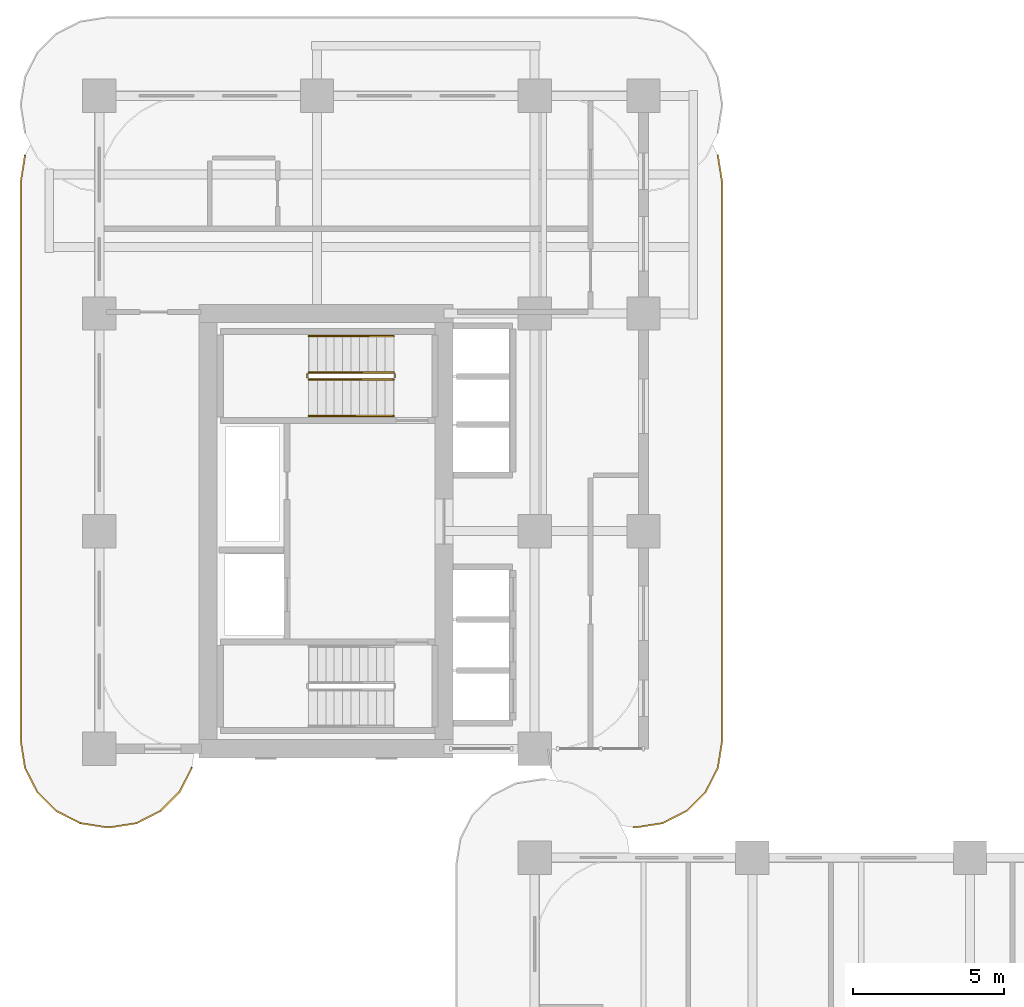
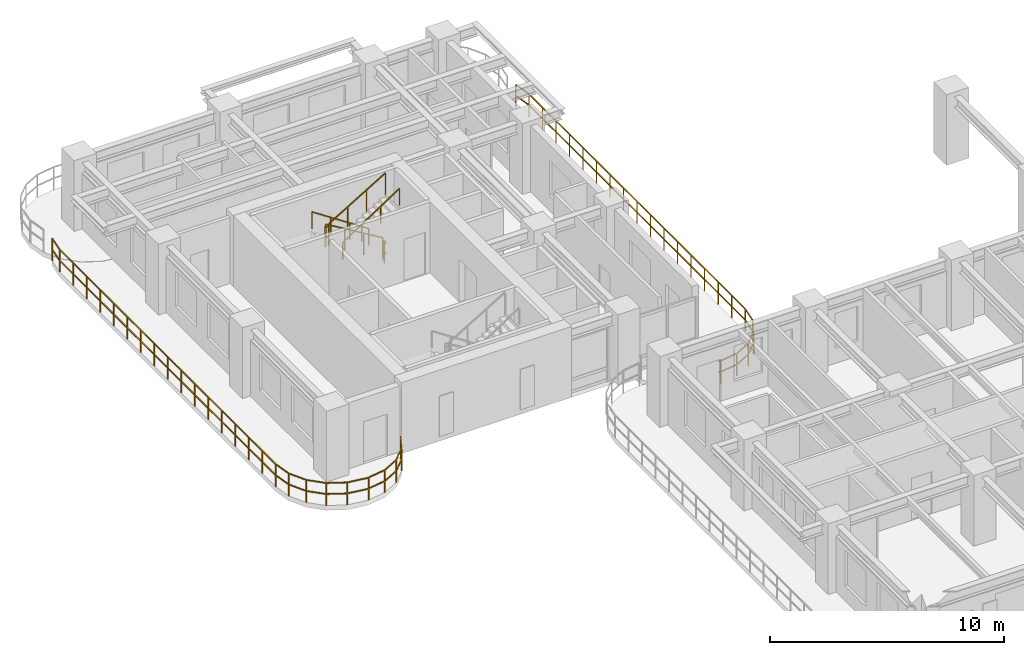
# One storey, part 18 of 19: 8 railings.
"""IFC4 building model written with IfcOpenShell, lengths in metres."""

import ifcopenshell
import ifcopenshell.guid

model = None  # the IFC model being written
_history = None  # IfcOwnerHistory: only IFC2X3 demands one
_inside = {}  # id of a spatial element -> (the spatial element, [elements in it])
_under = {}  # id of a project, library or spatial element -> (it, [spatial elements below it])
_declared = {}  # id of a project -> (the project, [libraries it declares])
_typed = {}  # id of a type object -> (the type object, [elements of that type])
_made_of = {}  # id of a material, layer set ... -> (it, [elements and type objects made of it])


def new_model(schema):
    """Start an empty IFC model of exactly this schema.

    Asked for "IFC4X3", IfcOpenShell would pick the latest addendum, in which some entities
    have other attributes; the version numbers below select the first issue.
    IFC2X3 requires an IfcOwnerHistory on every rooted entity: one is made here for all.
    """
    global model, _history
    if schema == "IFC4X3":
        model = ifcopenshell.file(schema_version=(4, 3, 0, 0))
    else:
        model = ifcopenshell.file(schema=schema)
    _inside.clear()
    _under.clear()
    _declared.clear()
    _typed.clear()
    _made_of.clear()
    _history = None
    if model.schema == "IFC2X3":
        org = make("IfcOrganization", Name="unknown")
        user = make(
            "IfcPersonAndOrganization",
            ThePerson=make("IfcPerson", FamilyName="unknown"),
            TheOrganization=org,
        )
        app = make(
            "IfcApplication",
            ApplicationDeveloper=org,
            Version="unknown",
            ApplicationFullName="unknown",
            ApplicationIdentifier="unknown",
        )
        _history = make(
            "IfcOwnerHistory",
            OwningUser=user,
            OwningApplication=app,
            ChangeAction="ADDED",
            CreationDate=0,
        )
    return model


def make(cls, **values):
    """One entity of the class cls with the attributes given. An attribute that is None is left unset."""
    return model.create_entity(
        cls, **{name: value for name, value in values.items() if value is not None}
    )


def rooted(cls, **values):
    """An entity with a GlobalId (a new one), such as an element, a storey or a relation."""
    return make(cls, GlobalId=ifcopenshell.guid.new(), OwnerHistory=_history, **values)


def si_unit(unit_type, name, prefix=None):
    """IfcSIUnit, for example si_unit("LENGTHUNIT", "METRE", prefix="MILLI")."""
    return make("IfcSIUnit", UnitType=unit_type, Prefix=prefix, Name=name)


def derived_unit(unit_type, elements):
    """IfcDerivedUnit: a product of units, each with its exponent."""
    return make(
        "IfcDerivedUnit",
        Elements=[
            make("IfcDerivedUnitElement", Unit=unit, Exponent=power)
            for unit, power in elements
        ],
        UnitType=unit_type,
    )


def assignment(units):
    """IfcUnitAssignment: the units of a project."""
    return None if units is None else make("IfcUnitAssignment", Units=units)


def point(xyz):
    """IfcCartesianPoint."""
    return None if xyz is None else make("IfcCartesianPoint", Coordinates=xyz)


def direction(xyz):
    """IfcDirection."""
    return None if xyz is None else make("IfcDirection", DirectionRatios=xyz)


def frame(location, z_axis=None, x_axis=None):
    """IfcAxis2Placement3D, a coordinate frame: its origin and axes. An axis left out is left unset."""
    return make(
        "IfcAxis2Placement3D",
        Location=point(location),
        Axis=direction(z_axis),
        RefDirection=direction(x_axis),
    )


def frame_2d(location, x_axis=None):
    """IfcAxis2Placement2D, a coordinate frame in the plane: its origin and x axis."""
    return make(
        "IfcAxis2Placement2D", Location=point(location), RefDirection=direction(x_axis)
    )


def origin():
    """The frame at (0, 0, 0) with its axes left unset."""
    return frame((0.0, 0.0, 0.0))


def origin_2d():
    """The frame at (0, 0) in the plane with its x axis left unset."""
    return frame_2d((0.0, 0.0))


def place(relative_to, where):
    """IfcLocalPlacement: puts the frame where relative to a parent placement (None: the world)."""
    return make(
        "IfcLocalPlacement", PlacementRelTo=relative_to, RelativePlacement=where
    )


def context(
    kind, dimensions, precision=None, world=None, true_north=None, identifier=None
):
    """IfcGeometricRepresentationContext, for example the 3D "Model" context."""
    return make(
        "IfcGeometricRepresentationContext",
        ContextIdentifier=identifier,
        ContextType=kind,
        CoordinateSpaceDimension=dimensions,
        Precision=precision,
        WorldCoordinateSystem=world,
        TrueNorth=true_north,
    )


def subcontext(parent, identifier, kind, view, scale=None):
    """IfcGeometricRepresentationSubContext, for example "Body" below "Model"."""
    return make(
        "IfcGeometricRepresentationSubContext",
        ContextIdentifier=identifier,
        ContextType=kind,
        ParentContext=parent,
        TargetScale=scale,
        TargetView=view,
    )


def project(units=None, contexts=None):
    """IfcProject with its units and contexts."""
    return rooted(
        "IfcProject",
        Name="project",
        RepresentationContexts=contexts,
        UnitsInContext=assignment(units),
    )


def spatial(cls, under=None, at=None, **own):
    """A site, building, storey or space (cls), placed at a placement, below another one or the project."""
    s = rooted(cls, ObjectPlacement=at, **own)
    if under is not None:
        _under.setdefault(under.id(), (under, []))[1].append(s)
    return s


def profile(cls, at=None, kind="AREA", **sizes):
    """A parametric profile (cls). Its sizes go by their IFC names, for example OverallWidth=200.0."""
    return make(cls, ProfileType=kind, Position=at, **sizes)


def rectangle(**sizes):
    """IfcRectangleProfileDef."""
    return profile("IfcRectangleProfileDef", **sizes)


def extrude(swept, where, along, depth):
    """IfcExtrudedAreaSolid: the profile swept, set in the frame where, extruded along a direction by depth."""
    return make(
        "IfcExtrudedAreaSolid",
        SweptArea=swept,
        Position=where,
        ExtrudedDirection=direction(along),
        Depth=depth,
    )


def shape(context_of_items, identifier, shape_type, items):
    """IfcShapeRepresentation: the items that make up one representation, for example the "Body"."""
    return make(
        "IfcShapeRepresentation",
        ContextOfItems=context_of_items,
        RepresentationIdentifier=identifier,
        RepresentationType=shape_type,
        Items=items,
    )


def material(Name=None, Category=None):
    """IfcMaterial."""
    return make("IfcMaterial", Name=Name, Category=Category)


def made_of(thing, what):
    """Note that an element or type object is made of a material, layer set ...; save() writes the relation."""
    if what is not None:
        _made_of.setdefault(what.id(), (what, []))[1].append(thing)
    return thing


def type_object(cls, material=None, **own):
    """A type object (cls), such as IfcWallType, which elements share."""
    return made_of(rooted(cls, **own), material)


def element(
    cls,
    number,
    at=None,
    inside=None,
    cuts=None,
    type_object=None,
    material=None,
    context=None,
    identifier="Body",
    shape_type=None,
    held_by="IfcProductDefinitionShape",
    body=None,
    shapes=None,
    **own,
):
    """One element of the class cls, such as IfcWall. Its Tag is "e" and its number.

    at: its placement. inside: the storey or other place that contains it. cuts: it is an
    opening in that element (IfcRelVoidsElement). A single representation is given by context,
    identifier, shape_type and body (its items); several are given by shapes. held_by: the class
    of the entity that holds the representations. save() writes the other relations.
    """
    e = rooted(cls, Tag="e%d" % number, ObjectPlacement=at, **own)
    if body is not None:
        shapes = [shape(context, identifier, shape_type, body)]
    if shapes is not None:
        e.Representation = make(held_by, Representations=shapes)
    if inside is not None:
        _inside.setdefault(inside.id(), (inside, []))[1].append(e)
    if cuts is not None:
        rooted(
            "IfcRelVoidsElement", RelatingBuildingElement=cuts, RelatedOpeningElement=e
        )
    if type_object is not None:
        _typed.setdefault(type_object.id(), (type_object, []))[1].append(e)
    return made_of(e, material)


def aggregate(whole, parts):
    """IfcRelAggregates: a whole, such as a stair, and the parts it consists of."""
    return rooted("IfcRelAggregates", RelatingObject=whole, RelatedObjects=parts)


def save(model, path):
    """Write the relations noted so far, then the file.

    IfcRelAggregates (storeys below a building ...), IfcRelContainedInSpatialStructure (elements
    in a storey), IfcRelDefinesByType, IfcRelAssociatesMaterial and IfcRelDeclares: one each for
    every whole, place, type object, material and project.
    """
    for whole, parts in _under.values():
        aggregate(whole, parts)
    for where, things in _inside.values():
        rooted(
            "IfcRelContainedInSpatialStructure",
            RelatedElements=things,
            RelatingStructure=where,
        )
    for kind, things in _typed.values():
        rooted("IfcRelDefinesByType", RelatedObjects=things, RelatingType=kind)
    for what, things in _made_of.values():
        rooted("IfcRelAssociatesMaterial", RelatedObjects=things, RelatingMaterial=what)
    for by, libraries in _declared.values():
        rooted("IfcRelDeclares", RelatingContext=by, RelatedDefinitions=libraries)
    model.write(path)


model = new_model("IFC4")

# Units and contexts
model_context = context("Model", 3, precision=1e-05, world=origin(), true_north=direction((0.0, 1.0)))
body_context = subcontext(model_context, "Body", "Model", "MODEL_VIEW")
ifc_project = project(units=[si_unit("LENGTHUNIT", "METRE"), si_unit("AREAUNIT", "SQUARE_METRE"), si_unit("VOLUMEUNIT", "CUBIC_METRE"), si_unit("PLANEANGLEUNIT", "RADIAN"), si_unit("MASSUNIT", "GRAM", prefix="KILO"), si_unit("THERMODYNAMICTEMPERATUREUNIT", "KELVIN"), si_unit("POWERUNIT", "WATT"), derived_unit("THERMALTRANSMITTANCEUNIT", [(si_unit("POWERUNIT", "WATT"), 1), (si_unit("AREAUNIT", "SQUARE_METRE"), -1), (si_unit("THERMODYNAMICTEMPERATUREUNIT", "KELVIN"), -1)])], contexts=[model_context])

# Site, building, storey
site_placement = place(None, origin())
site = spatial("IfcSite", under=ifc_project, at=site_placement, CompositionType="ELEMENT")
building_placement = place(site_placement, origin())
building = spatial("IfcBuilding", under=site, at=building_placement, Name="Zahravan Archway Hotel and Residences", CompositionType="ELEMENT")
storey_placement = place(building_placement, frame((0.0, 0.0, 47.199951171875)))
storey = spatial("IfcBuildingStorey", under=building, at=storey_placement, Name="L10", CompositionType="ELEMENT", Elevation=47.199951171875)

# Railings
ifc_material_1 = material(Name="Bronze & Laminated Glass Balustrade", Category="glass")
railing_type_1 = type_object("IfcRailingType", Name="RL-BAL-1200", PredefinedType="BALUSTRADE", material=ifc_material_1)
railing_1_placement = place(storey_placement, frame((3.060546875, 24.5693359375, 0.0)))
element("IfcRailing", 1, at=railing_1_placement, inside=storey, type_object=railing_type_1, Name="L10 Balustrade RL-SLB-BAL-L10-WB-1", PredefinedType="BALUSTRADE", context=body_context, shape_type="SweptSolid", body=[
    extrude(rectangle(XDim=0.048095703125, YDim=0.048095703125, at=origin_2d()), frame((0.0, 0.0, 1.17578125), z_axis=(-0.453991409995, -0.891006060389, 0.0), x_axis=(0.891006060389, -0.453991409995, 0.0)), (0.0, 0.0, 1.0), 0.8916015625),
    extrude(rectangle(XDim=0.048095703125, YDim=0.048095703125, at=origin_2d()), frame((0.0, 0.0, 0.60009765625), z_axis=(-0.453991409995, -0.891006060389, 0.0), x_axis=(0.891006060389, -0.453991409995, 0.0)), (0.0, 0.0, 1.0), 0.8916015625),
    extrude(rectangle(XDim=0.048095703125, YDim=0.048095703125, at=origin_2d()), frame((-0.40478515625, -0.79443359375, 1.17578125), z_axis=(-0.707106781187, -0.707106781187, 0.0), x_axis=(0.707106781187, -0.707106781187, 0.0)), (0.0, 0.0, 1.0), 0.891845703125),
    extrude(rectangle(XDim=0.048095703125, YDim=0.048095703125, at=origin_2d()), frame((-0.40478515625, -0.79443359375, 0.60009765625), z_axis=(-0.707106781187, -0.707106781187, 0.0), x_axis=(0.707106781187, -0.707106781187, 0.0)), (0.0, 0.0, 1.0), 0.891845703125),
    extrude(rectangle(XDim=0.048095703125, YDim=0.048095703125, at=origin_2d()), frame((-1.035400390625, -1.425048828125, 1.17578125), z_axis=(-0.891006060389, -0.453991409995, 0.0), x_axis=(0.453991409995, -0.891006060389, 0.0)), (0.0, 0.0, 1.0), 0.8916015625),
    extrude(rectangle(XDim=0.048095703125, YDim=0.048095703125, at=origin_2d()), frame((-1.035400390625, -1.425048828125, 0.60009765625), z_axis=(-0.891006060389, -0.453991409995, 0.0), x_axis=(0.453991409995, -0.891006060389, 0.0)), (0.0, 0.0, 1.0), 0.8916015625),
    extrude(rectangle(XDim=0.048095703125, YDim=0.048095703125, at=origin_2d()), frame((-1.829833984375, -1.829833984375, 1.17578125), z_axis=(-0.987700720307, -0.156356282588, 0.0), x_axis=(0.156356282588, -0.987700720307, 0.0)), (0.0, 0.0, 1.0), 0.8916015625),
    extrude(rectangle(XDim=0.048095703125, YDim=0.048095703125, at=origin_2d()), frame((-1.829833984375, -1.829833984375, 0.60009765625), z_axis=(-0.987700720307, -0.156356282588, 0.0), x_axis=(0.156356282588, -0.987700720307, 0.0)), (0.0, 0.0, 1.0), 0.8916015625),
    extrude(rectangle(XDim=0.048095703125, YDim=0.048095703125, at=origin_2d()), frame((-2.71044921875, -1.96923828125, 1.17578125), z_axis=(-1.0, 0.0, 0.0), x_axis=(0.0, -1.0, 0.0)), (0.0, 0.0, 1.0), 0.10009765625),
    extrude(rectangle(XDim=0.048095703125, YDim=0.048095703125, at=origin_2d()), frame((-2.71044921875, -1.96923828125, 0.60009765625), z_axis=(-1.0, 0.0, 0.0), x_axis=(0.0, -1.0, 0.0)), (0.0, 0.0, 1.0), 0.10009765625),
    extrude(rectangle(XDim=0.048095703125, YDim=0.048095703125, at=origin_2d()), frame((-2.810546875, -1.96923828125, 1.17578125), z_axis=(-0.987700720307, 0.156356282588, 0.0), x_axis=(-0.156356282588, -0.987700720307, 0.0)), (0.0, 0.0, 1.0), 0.8916015625),
    extrude(rectangle(XDim=0.048095703125, YDim=0.048095703125, at=origin_2d()), frame((-2.810546875, -1.96923828125, 0.60009765625), z_axis=(-0.987700720307, 0.156356282588, 0.0), x_axis=(-0.156356282588, -0.987700720307, 0.0)), (0.0, 0.0, 1.0), 0.8916015625),
    extrude(rectangle(XDim=0.048095703125, YDim=0.048095703125, at=origin_2d()), frame((-3.691162109375, -1.829833984375, 1.17578125), z_axis=(-0.891062476022, 0.45388067135, 0.0), x_axis=(-0.45388067135, -0.891062476022, 0.0)), (0.0, 0.0, 1.0), 0.891845703125),
    extrude(rectangle(XDim=0.048095703125, YDim=0.048095703125, at=origin_2d()), frame((-3.691162109375, -1.829833984375, 0.60009765625), z_axis=(-0.891062476022, 0.45388067135, 0.0), x_axis=(-0.45388067135, -0.891062476022, 0.0)), (0.0, 0.0, 1.0), 0.891845703125),
    extrude(rectangle(XDim=0.048095703125, YDim=0.048095703125, at=origin_2d()), frame((-4.48583984375, -1.425048828125, 1.17578125), z_axis=(-0.706969864397, 0.70724367147, 0.0), x_axis=(-0.70724367147, -0.706969864397, 0.0)), (0.0, 0.0, 1.0), 0.8916015625),
    extrude(rectangle(XDim=0.048095703125, YDim=0.048095703125, at=origin_2d()), frame((-4.48583984375, -1.425048828125, 0.60009765625), z_axis=(-0.706969864397, 0.70724367147, 0.0), x_axis=(-0.70724367147, -0.706969864397, 0.0)), (0.0, 0.0, 1.0), 0.8916015625),
    extrude(rectangle(XDim=0.048095703125, YDim=0.048095703125, at=origin_2d()), frame((-5.1162109375, -0.79443359375, 1.17578125), z_axis=(-0.453991409995, 0.891006060389, 0.0), x_axis=(-0.891006060389, -0.453991409995, 0.0)), (0.0, 0.0, 1.0), 0.8916015625),
    extrude(rectangle(XDim=0.048095703125, YDim=0.048095703125, at=origin_2d()), frame((-5.1162109375, -0.79443359375, 0.60009765625), z_axis=(-0.453991409995, 0.891006060389, 0.0), x_axis=(-0.891006060389, -0.453991409995, 0.0)), (0.0, 0.0, 1.0), 0.8916015625),
    extrude(rectangle(XDim=0.048095703125, YDim=0.048095703125, at=origin_2d()), frame((-5.52099609375, 0.0, 1.17578125), z_axis=(-0.156623399917, 0.987658397726, 0.0), x_axis=(-0.987658397726, -0.156623399917, 0.0)), (0.0, 0.0, 1.0), 0.8916015625),
    extrude(rectangle(XDim=0.048095703125, YDim=0.048095703125, at=origin_2d()), frame((-5.52099609375, 0.0, 0.60009765625), z_axis=(-0.156623399917, 0.987658397726, 0.0), x_axis=(-0.987658397726, -0.156623399917, 0.0)), (0.0, 0.0, 1.0), 0.8916015625),
    extrude(rectangle(XDim=0.048095703125, YDim=0.048095703125, at=origin_2d()), frame((-5.66064453125, 0.880615234375, 1.17578125), z_axis=(0.0, 1.0, 0.0), x_axis=(-1.0, 0.0, 0.0)), (0.0, 0.0, 1.0), 18.5),
    extrude(rectangle(XDim=0.048095703125, YDim=0.048095703125, at=origin_2d()), frame((-5.66064453125, 0.880615234375, 0.60009765625), z_axis=(0.0, 1.0, 0.0), x_axis=(-1.0, 0.0, 0.0)), (0.0, 0.0, 1.0), 18.5),
    extrude(rectangle(XDim=0.048095703125, YDim=0.048095703125, at=origin_2d()), frame((-5.66064453125, 19.380615234375, 1.17578125), z_axis=(0.156581054338, 0.98766511198, 0.0), x_axis=(-0.98766511198, 0.156581054338, 0.0)), (0.0, 0.0, 1.0), 0.891845703125),
    extrude(rectangle(XDim=0.048095703125, YDim=0.048095703125, at=origin_2d()), frame((-5.66064453125, 19.380615234375, 0.60009765625), z_axis=(0.156581054338, 0.98766511198, 0.0), x_axis=(-0.98766511198, 0.156581054338, 0.0)), (0.0, 0.0, 1.0), 0.891845703125),
    extrude(rectangle(XDim=0.0419921875, YDim=0.0419921875, at=origin_2d()), origin(), (0.0, 0.0, 1.0), 1.15185546875),
    extrude(rectangle(XDim=0.0419921875, YDim=0.0419921875, at=origin_2d()), frame((-0.40478515625, -0.79443359375, 0.0)), (0.0, 0.0, 1.0), 1.15185546875),
    extrude(rectangle(XDim=0.0419921875, YDim=0.0419921875, at=origin_2d()), frame((-1.035400390625, -1.425048828125, 0.0)), (0.0, 0.0, 1.0), 1.15185546875),
    extrude(rectangle(XDim=0.0419921875, YDim=0.0419921875, at=origin_2d()), frame((-1.829833984375, -1.829833984375, 0.0)), (0.0, 0.0, 1.0), 1.15185546875),
    extrude(rectangle(XDim=0.0419921875, YDim=0.0419921875, at=origin_2d()), frame((-2.71044921875, -1.96923828125, 0.0)), (0.0, 0.0, 1.0), 1.15185546875),
    extrude(rectangle(XDim=0.0419921875, YDim=0.0419921875, at=origin_2d()), frame((-3.691162109375, -1.829833984375, 0.0)), (0.0, 0.0, 1.0), 1.15185546875),
    extrude(rectangle(XDim=0.0419921875, YDim=0.0419921875, at=origin_2d()), frame((-4.48583984375, -1.425048828125, 0.0)), (0.0, 0.0, 1.0), 1.15185546875),
    extrude(rectangle(XDim=0.0419921875, YDim=0.0419921875, at=origin_2d()), frame((-5.1162109375, -0.79443359375, 0.0)), (0.0, 0.0, 1.0), 1.15185546875),
    extrude(rectangle(XDim=0.0419921875, YDim=0.0419921875, at=origin_2d()), frame((-5.52099609375, 0.0, 0.0)), (0.0, 0.0, 1.0), 1.15185546875),
    extrude(rectangle(XDim=0.0419921875, YDim=0.0419921875, at=origin_2d()), frame((-5.66064453125, 0.880615234375, 0.0)), (0.0, 0.0, 1.0), 1.15185546875),
    extrude(rectangle(XDim=0.0419921875, YDim=0.0419921875, at=origin_2d()), frame((-5.66064453125, 2.036865234375, 0.0)), (0.0, 0.0, 1.0), 1.15185546875),
    extrude(rectangle(XDim=0.0419921875, YDim=0.0419921875, at=origin_2d()), frame((-5.66064453125, 3.193115234375, 0.0)), (0.0, 0.0, 1.0), 1.15185546875),
    extrude(rectangle(XDim=0.0419921875, YDim=0.0419921875, at=origin_2d()), frame((-5.66064453125, 4.349365234375, 0.0)), (0.0, 0.0, 1.0), 1.15185546875),
    extrude(rectangle(XDim=0.0419921875, YDim=0.0419921875, at=origin_2d()), frame((-5.66064453125, 5.505615234375, 0.0)), (0.0, 0.0, 1.0), 1.15185546875),
    extrude(rectangle(XDim=0.0419921875, YDim=0.0419921875, at=origin_2d()), frame((-5.66064453125, 6.661865234375, 0.0)), (0.0, 0.0, 1.0), 1.15185546875),
    extrude(rectangle(XDim=0.0419921875, YDim=0.0419921875, at=origin_2d()), frame((-5.66064453125, 7.818115234375, 0.0)), (0.0, 0.0, 1.0), 1.15185546875),
    extrude(rectangle(XDim=0.0419921875, YDim=0.0419921875, at=origin_2d()), frame((-5.66064453125, 8.974365234375, 0.0)), (0.0, 0.0, 1.0), 1.15185546875),
    extrude(rectangle(XDim=0.0419921875, YDim=0.0419921875, at=origin_2d()), frame((-5.66064453125, 10.130615234375, 0.0)), (0.0, 0.0, 1.0), 1.15185546875),
    extrude(rectangle(XDim=0.0419921875, YDim=0.0419921875, at=origin_2d()), frame((-5.66064453125, 11.286865234375, 0.0)), (0.0, 0.0, 1.0), 1.15185546875),
    extrude(rectangle(XDim=0.0419921875, YDim=0.0419921875, at=origin_2d()), frame((-5.66064453125, 12.443115234375, 0.0)), (0.0, 0.0, 1.0), 1.15185546875),
    extrude(rectangle(XDim=0.0419921875, YDim=0.0419921875, at=origin_2d()), frame((-5.66064453125, 13.599365234375, 0.0)), (0.0, 0.0, 1.0), 1.15185546875),
    extrude(rectangle(XDim=0.0419921875, YDim=0.0419921875, at=origin_2d()), frame((-5.66064453125, 14.755615234375, 0.0)), (0.0, 0.0, 1.0), 1.15185546875),
    extrude(rectangle(XDim=0.0419921875, YDim=0.0419921875, at=origin_2d()), frame((-5.66064453125, 15.911865234375, 0.0)), (0.0, 0.0, 1.0), 1.15185546875),
    extrude(rectangle(XDim=0.0419921875, YDim=0.0419921875, at=origin_2d()), frame((-5.66064453125, 17.068115234375, 0.0)), (0.0, 0.0, 1.0), 1.15185546875),
    extrude(rectangle(XDim=0.0419921875, YDim=0.0419921875, at=origin_2d()), frame((-5.66064453125, 18.224365234375, 0.0)), (0.0, 0.0, 1.0), 1.15185546875),
    extrude(rectangle(XDim=0.0419921875, YDim=0.0419921875, at=origin_2d()), frame((-5.66064453125, 19.380615234375, 0.0)), (0.0, 0.0, 1.0), 1.15185546875),
    extrude(rectangle(XDim=0.0419921875, YDim=0.0419921875, at=origin_2d()), frame((-5.52099609375, 20.261474609375, 0.0)), (0.0, 0.0, 1.0), 1.15185546875),
])
railing_2_placement = place(storey_placement, frame((20.46044921875, 44.830810546875, 0.0)))
element("IfcRailing", 2, at=railing_2_placement, inside=storey, type_object=railing_type_1, Name="L10 Balustrade RL-SLB-BAL-L10-EB-2", PredefinedType="BALUSTRADE", context=body_context, shape_type="SweptSolid", body=[
    extrude(rectangle(XDim=0.048095703125, YDim=0.048095703125, at=origin_2d()), frame((0.0, 0.0, 1.17578125), z_axis=(0.156581054338, -0.98766511198, 0.0), x_axis=(0.98766511198, 0.156581054338, 0.0)), (0.0, 0.0, 1.0), 0.891845703125),
    extrude(rectangle(XDim=0.048095703125, YDim=0.048095703125, at=origin_2d()), frame((0.0, 0.0, 0.60009765625), z_axis=(0.156581054338, -0.98766511198, 0.0), x_axis=(0.98766511198, 0.156581054338, 0.0)), (0.0, 0.0, 1.0), 0.891845703125),
    extrude(rectangle(XDim=0.048095703125, YDim=0.048095703125, at=origin_2d()), frame((0.1396484375, -0.880859375, 1.17578125), z_axis=(0.0, -1.0, 0.0), x_axis=(1.0, 0.0, 0.0)), (0.0, 0.0, 1.0), 18.5),
    extrude(rectangle(XDim=0.048095703125, YDim=0.048095703125, at=origin_2d()), frame((0.1396484375, -0.880859375, 0.60009765625), z_axis=(0.0, -1.0, 0.0), x_axis=(1.0, 0.0, 0.0)), (0.0, 0.0, 1.0), 18.5),
    extrude(rectangle(XDim=0.048095703125, YDim=0.048095703125, at=origin_2d()), frame((0.1396484375, -19.380859375, 1.17578125), z_axis=(-0.156623399917, -0.987658397726, 0.0), x_axis=(0.987658397726, -0.156623399917, 0.0)), (0.0, 0.0, 1.0), 0.8916015625),
    extrude(rectangle(XDim=0.048095703125, YDim=0.048095703125, at=origin_2d()), frame((0.1396484375, -19.380859375, 0.60009765625), z_axis=(-0.156623399917, -0.987658397726, 0.0), x_axis=(0.987658397726, -0.156623399917, 0.0)), (0.0, 0.0, 1.0), 0.8916015625),
    extrude(rectangle(XDim=0.048095703125, YDim=0.048095703125, at=origin_2d()), frame((0.0, -20.261474609375, 1.17578125), z_axis=(-0.453991409995, -0.891006060389, 0.0), x_axis=(0.891006060389, -0.453991409995, 0.0)), (0.0, 0.0, 1.0), 0.8916015625),
    extrude(rectangle(XDim=0.048095703125, YDim=0.048095703125, at=origin_2d()), frame((0.0, -20.261474609375, 0.60009765625), z_axis=(-0.453991409995, -0.891006060389, 0.0), x_axis=(0.891006060389, -0.453991409995, 0.0)), (0.0, 0.0, 1.0), 0.8916015625),
    extrude(rectangle(XDim=0.048095703125, YDim=0.048095703125, at=origin_2d()), frame((-0.40478515625, -21.055908203125, 1.17578125), z_axis=(-0.706969864397, -0.70724367147, 0.0), x_axis=(0.70724367147, -0.706969864397, 0.0)), (0.0, 0.0, 1.0), 0.8916015625),
    extrude(rectangle(XDim=0.048095703125, YDim=0.048095703125, at=origin_2d()), frame((-0.40478515625, -21.055908203125, 0.60009765625), z_axis=(-0.706969864397, -0.70724367147, 0.0), x_axis=(0.70724367147, -0.706969864397, 0.0)), (0.0, 0.0, 1.0), 0.8916015625),
    extrude(rectangle(XDim=0.048095703125, YDim=0.048095703125, at=origin_2d()), frame((-1.03515625, -21.6865234375, 1.17578125), z_axis=(-0.891062476022, -0.45388067135, 0.0), x_axis=(0.45388067135, -0.891062476022, 0.0)), (0.0, 0.0, 1.0), 0.891845703125),
    extrude(rectangle(XDim=0.048095703125, YDim=0.048095703125, at=origin_2d()), frame((-1.03515625, -21.6865234375, 0.60009765625), z_axis=(-0.891062476022, -0.45388067135, 0.0), x_axis=(0.45388067135, -0.891062476022, 0.0)), (0.0, 0.0, 1.0), 0.891845703125),
    extrude(rectangle(XDim=0.048095703125, YDim=0.048095703125, at=origin_2d()), frame((-1.829833984375, -22.09130859375, 1.17578125), z_axis=(-0.987700720307, -0.156356282588, 0.0), x_axis=(0.156356282588, -0.987700720307, 0.0)), (0.0, 0.0, 1.0), 0.8916015625),
    extrude(rectangle(XDim=0.048095703125, YDim=0.048095703125, at=origin_2d()), frame((-1.829833984375, -22.09130859375, 0.60009765625), z_axis=(-0.987700720307, -0.156356282588, 0.0), x_axis=(0.156356282588, -0.987700720307, 0.0)), (0.0, 0.0, 1.0), 0.8916015625),
    extrude(rectangle(XDim=0.048095703125, YDim=0.048095703125, at=origin_2d()), frame((-2.71044921875, -22.230712890625, 1.17578125), z_axis=(-1.0, 0.0, 0.0), x_axis=(0.0, -1.0, 0.0)), (0.0, 0.0, 1.0), 0.10009765625),
    extrude(rectangle(XDim=0.048095703125, YDim=0.048095703125, at=origin_2d()), frame((-2.71044921875, -22.230712890625, 0.60009765625), z_axis=(-1.0, 0.0, 0.0), x_axis=(0.0, -1.0, 0.0)), (0.0, 0.0, 1.0), 0.10009765625),
    extrude(rectangle(XDim=0.0419921875, YDim=0.0419921875, at=origin_2d()), origin(), (0.0, 0.0, 1.0), 1.15185546875),
    extrude(rectangle(XDim=0.0419921875, YDim=0.0419921875, at=origin_2d()), frame((0.1396484375, -0.880859375, 0.0)), (0.0, 0.0, 1.0), 1.15185546875),
    extrude(rectangle(XDim=0.0419921875, YDim=0.0419921875, at=origin_2d()), frame((0.1396484375, -2.037109375, 0.0)), (0.0, 0.0, 1.0), 1.15185546875),
    extrude(rectangle(XDim=0.0419921875, YDim=0.0419921875, at=origin_2d()), frame((0.1396484375, -3.193359375, 0.0)), (0.0, 0.0, 1.0), 1.15185546875),
    extrude(rectangle(XDim=0.0419921875, YDim=0.0419921875, at=origin_2d()), frame((0.1396484375, -4.349609375, 0.0)), (0.0, 0.0, 1.0), 1.15185546875),
    extrude(rectangle(XDim=0.0419921875, YDim=0.0419921875, at=origin_2d()), frame((0.1396484375, -5.505859375, 0.0)), (0.0, 0.0, 1.0), 1.15185546875),
    extrude(rectangle(XDim=0.0419921875, YDim=0.0419921875, at=origin_2d()), frame((0.1396484375, -6.662109375, 0.0)), (0.0, 0.0, 1.0), 1.15185546875),
    extrude(rectangle(XDim=0.0419921875, YDim=0.0419921875, at=origin_2d()), frame((0.1396484375, -7.818359375, 0.0)), (0.0, 0.0, 1.0), 1.15185546875),
    extrude(rectangle(XDim=0.0419921875, YDim=0.0419921875, at=origin_2d()), frame((0.1396484375, -8.974609375, 0.0)), (0.0, 0.0, 1.0), 1.15185546875),
    extrude(rectangle(XDim=0.0419921875, YDim=0.0419921875, at=origin_2d()), frame((0.1396484375, -10.130859375, 0.0)), (0.0, 0.0, 1.0), 1.15185546875),
    extrude(rectangle(XDim=0.0419921875, YDim=0.0419921875, at=origin_2d()), frame((0.1396484375, -11.287109375, 0.0)), (0.0, 0.0, 1.0), 1.15185546875),
    extrude(rectangle(XDim=0.0419921875, YDim=0.0419921875, at=origin_2d()), frame((0.1396484375, -12.443359375, 0.0)), (0.0, 0.0, 1.0), 1.15185546875),
    extrude(rectangle(XDim=0.0419921875, YDim=0.0419921875, at=origin_2d()), frame((0.1396484375, -13.599609375, 0.0)), (0.0, 0.0, 1.0), 1.15185546875),
    extrude(rectangle(XDim=0.0419921875, YDim=0.0419921875, at=origin_2d()), frame((0.1396484375, -14.755859375, 0.0)), (0.0, 0.0, 1.0), 1.15185546875),
    extrude(rectangle(XDim=0.0419921875, YDim=0.0419921875, at=origin_2d()), frame((0.1396484375, -15.912109375, 0.0)), (0.0, 0.0, 1.0), 1.15185546875),
    extrude(rectangle(XDim=0.0419921875, YDim=0.0419921875, at=origin_2d()), frame((0.1396484375, -17.068359375, 0.0)), (0.0, 0.0, 1.0), 1.15185546875),
    extrude(rectangle(XDim=0.0419921875, YDim=0.0419921875, at=origin_2d()), frame((0.1396484375, -18.224609375, 0.0)), (0.0, 0.0, 1.0), 1.15185546875),
    extrude(rectangle(XDim=0.0419921875, YDim=0.0419921875, at=origin_2d()), frame((0.1396484375, -19.380859375, 0.0)), (0.0, 0.0, 1.0), 1.15185546875),
    extrude(rectangle(XDim=0.0419921875, YDim=0.0419921875, at=origin_2d()), frame((0.0, -20.261474609375, 0.0)), (0.0, 0.0, 1.0), 1.15185546875),
    extrude(rectangle(XDim=0.0419921875, YDim=0.0419921875, at=origin_2d()), frame((-0.40478515625, -21.055908203125, 0.0)), (0.0, 0.0, 1.0), 1.15185546875),
    extrude(rectangle(XDim=0.0419921875, YDim=0.0419921875, at=origin_2d()), frame((-1.03515625, -21.6865234375, 0.0)), (0.0, 0.0, 1.0), 1.15185546875),
    extrude(rectangle(XDim=0.0419921875, YDim=0.0419921875, at=origin_2d()), frame((-1.829833984375, -22.09130859375, 0.0)), (0.0, 0.0, 1.0), 1.15185546875),
    extrude(rectangle(XDim=0.0419921875, YDim=0.0419921875, at=origin_2d()), frame((-2.71044921875, -22.230712890625, 0.0)), (0.0, 0.0, 1.0), 1.15185546875),
])
ifc_material_2 = material(Name="Painted Tubular Steel", Category="steel")
railing_type_2 = type_object("IfcRailingType", Name="RL-STG-1150", PredefinedType="GUARDRAIL", material=ifc_material_2)
railing_3_placement = place(storey_placement, frame((9.72998046875, 37.64990234375, 0.168212890625)))
element("IfcRailing", 3, at=railing_3_placement, inside=storey, type_object=railing_type_2, Name="L10 ST-B2 stair guard 1", PredefinedType="GUARDRAIL", context=body_context, shape_type="SweptSolid", body=[
    extrude(rectangle(XDim=0.048095703125, YDim=0.048095703125, at=origin_2d()), frame((0.0, 0.0, 1.1259765625), z_axis=(-0.857242210791, 0.0, 0.514913383045), x_axis=(0.0, -1.0, 0.0)), (0.0, 0.0, 1.0), 3.266357421875),
    extrude(rectangle(XDim=0.0419921875, YDim=0.0419921875, at=origin_2d()), origin(), (0.0, 0.0, 1.0), 1.101806640625),
    extrude(rectangle(XDim=0.0419921875, YDim=0.0419921875, at=origin_2d()), frame((-0.933349609375, 0.0, 0.560546875)), (0.0, 0.0, 1.0), 1.101806640625),
    extrude(rectangle(XDim=0.0419921875, YDim=0.0419921875, at=origin_2d()), frame((-1.86669921875, 0.0, 1.121337890625)), (0.0, 0.0, 1.0), 1.101806640625),
    extrude(rectangle(XDim=0.0419921875, YDim=0.0419921875, at=origin_2d()), frame((-2.800048828125, 0.0, 1.681884765625)), (0.0, 0.0, 1.0), 1.101806640625),
])
railing_4_placement = place(storey_placement, frame((6.8798828125, 37.60009765625, 1.85009765625)))
element("IfcRailing", 4, at=railing_4_placement, inside=storey, type_object=railing_type_2, Name="L10 ST-B2 stair guard 2", PredefinedType="GUARDRAIL", context=body_context, shape_type="SweptSolid", body=[
    extrude(rectangle(XDim=0.048095703125, YDim=0.048095703125, at=origin_2d()), frame((0.0, 0.0, 1.1259765625), z_axis=(0.0, -1.0, 0.0), x_axis=(1.0, 0.0, 0.0)), (0.0, 0.0, 1.0), 0.14013671875),
    extrude(rectangle(XDim=0.048095703125, YDim=0.048095703125, at=origin_2d()), frame((0.0, 0.0, 0.574951171875), z_axis=(0.0, -1.0, 0.0), x_axis=(1.0, 0.0, 0.0)), (0.0, 0.0, 1.0), 0.14013671875),
    extrude(rectangle(XDim=0.0419921875, YDim=0.0419921875, at=origin_2d()), origin(), (0.0, 0.0, 1.0), 1.101806640625),
])
railing_5_placement = place(storey_placement, frame((6.929931640625, 37.409912109375, 2.018310546875)))
element("IfcRailing", 5, at=railing_5_placement, inside=storey, type_object=railing_type_2, Name="L10 ST-B2 stair guard 3", PredefinedType="GUARDRAIL", context=body_context, shape_type="SweptSolid", body=[
    extrude(rectangle(XDim=0.048095703125, YDim=0.048095703125, at=origin_2d()), frame((0.0, 0.0, 1.1259765625), z_axis=(0.857275202839, 0.0, 0.514858452973), x_axis=(0.0, 1.0, 0.0)), (0.0, 0.0, 1.0), 3.26611328125),
    extrude(rectangle(XDim=0.0419921875, YDim=0.0419921875, at=origin_2d()), origin(), (0.0, 0.0, 1.0), 1.101806640625),
    extrude(rectangle(XDim=0.0419921875, YDim=0.0419921875, at=origin_2d()), frame((0.933349609375, 0.0, 0.560546875)), (0.0, 0.0, 1.0), 1.101806640625),
    extrude(rectangle(XDim=0.0419921875, YDim=0.0419921875, at=origin_2d()), frame((1.86669921875, 0.0, 1.12109375)), (0.0, 0.0, 1.0), 1.101806640625),
    extrude(rectangle(XDim=0.0419921875, YDim=0.0419921875, at=origin_2d()), frame((2.800048828125, 0.0, 1.681640625)), (0.0, 0.0, 1.0), 1.101806640625),
])
railing_6_placement = place(storey_placement, frame((9.780029296875, 37.60009765625, 0.0)))
element("IfcRailing", 6, at=railing_6_placement, inside=storey, type_object=railing_type_2, Name="L10 ST-B2 stair guard 4", PredefinedType="GUARDRAIL", context=body_context, shape_type="SweptSolid", body=[
    extrude(rectangle(XDim=0.048095703125, YDim=0.048095703125, at=origin_2d()), frame((0.0, 0.0, 1.1259765625), z_axis=(0.0, -1.0, 0.0), x_axis=(1.0, 0.0, 0.0)), (0.0, 0.0, 1.0), 0.14013671875),
    extrude(rectangle(XDim=0.048095703125, YDim=0.048095703125, at=origin_2d()), frame((0.0, 0.0, 0.574951171875), z_axis=(0.0, -1.0, 0.0), x_axis=(1.0, 0.0, 0.0)), (0.0, 0.0, 1.0), 0.14013671875),
    extrude(rectangle(XDim=0.0419921875, YDim=0.0419921875, at=origin_2d()), origin(), (0.0, 0.0, 1.0), 1.101806640625),
])
ifc_material_3 = material(Name="Brushed Stainless Steel", Category="steel")
railing_type_3 = type_object("IfcRailingType", Name="RL-STH-900", PredefinedType="HANDRAIL", material=ifc_material_3)
railing_7_placement = place(storey_placement, frame((9.72998046875, 38.85009765625, 0.168212890625)))
element("IfcRailing", 7, at=railing_7_placement, inside=storey, type_object=railing_type_3, Name="L10 ST-B2 stair handrail 1", PredefinedType="HANDRAIL", context=body_context, shape_type="SweptSolid", body=[
    extrude(rectangle(XDim=0.048095703125, YDim=0.048095703125, at=origin_2d()), frame((0.0, 0.0, 0.8759765625), z_axis=(-0.834326358476, 0.0, 0.551270829586), x_axis=(0.0, -1.0, 0.0)), (0.0, 0.0, 1.0), 3.35595703125),
    extrude(rectangle(XDim=0.0419921875, YDim=0.0419921875, at=origin_2d()), origin(), (0.0, 0.0, 1.0), 0.851806640625),
    extrude(rectangle(XDim=0.0419921875, YDim=0.0419921875, at=origin_2d()), frame((-0.933349609375, 0.0, 0.61669921875)), (0.0, 0.0, 1.0), 0.851806640625),
    extrude(rectangle(XDim=0.0419921875, YDim=0.0419921875, at=origin_2d()), frame((-1.86669921875, 0.0, 1.2333984375)), (0.0, 0.0, 1.0), 0.851806640625),
    extrude(rectangle(XDim=0.0419921875, YDim=0.0419921875, at=origin_2d()), frame((-2.800048828125, 0.0, 1.85009765625)), (0.0, 0.0, 1.0), 0.851806640625),
])
railing_8_placement = place(storey_placement, frame((6.929931640625, 36.2099609375, 2.018310546875)))
element("IfcRailing", 8, at=railing_8_placement, inside=storey, type_object=railing_type_3, Name="L10 ST-B2 stair handrail 2", PredefinedType="HANDRAIL", context=body_context, shape_type="SweptSolid", body=[
    extrude(rectangle(XDim=0.048095703125, YDim=0.048095703125, at=origin_2d()), frame((0.0, 0.0, 0.8759765625), z_axis=(0.83435981716, 0.0, 0.551220187865), x_axis=(0.0, 1.0, 0.0)), (0.0, 0.0, 1.0), 3.35595703125),
    extrude(rectangle(XDim=0.0419921875, YDim=0.0419921875, at=origin_2d()), origin(), (0.0, 0.0, 1.0), 0.851806640625),
    extrude(rectangle(XDim=0.0419921875, YDim=0.0419921875, at=origin_2d()), frame((0.933349609375, 0.0, 0.61669921875)), (0.0, 0.0, 1.0), 0.851806640625),
    extrude(rectangle(XDim=0.0419921875, YDim=0.0419921875, at=origin_2d()), frame((1.86669921875, 0.0, 1.233154296875)), (0.0, 0.0, 1.0), 0.851806640625),
    extrude(rectangle(XDim=0.0419921875, YDim=0.0419921875, at=origin_2d()), frame((2.800048828125, 0.0, 1.849853515625)), (0.0, 0.0, 1.0), 0.851806640625),
])

save(model, "model.ifc")
